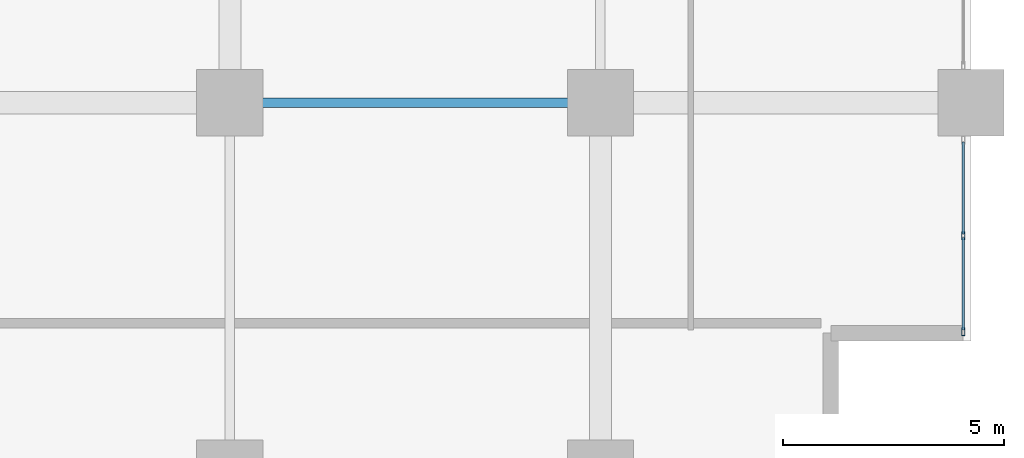
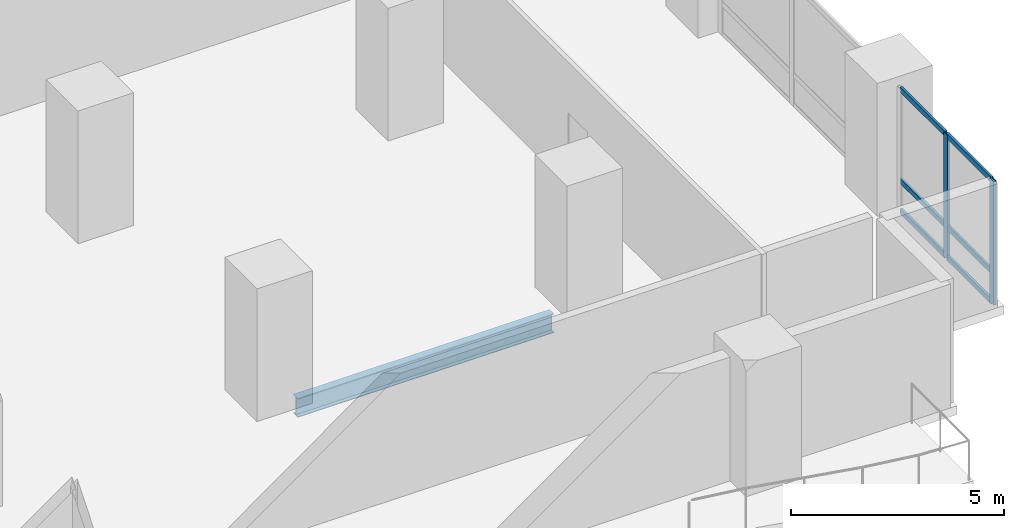
# One storey, part 3 of 27: 8 members, 1 beam, 1 element without a shape of its own.
"""IFC4 building model written with IfcOpenShell, lengths in metres."""

from ifc_helpers import new_model, si_unit, direction, frame, origin, origin_2d, place, context, subcontext, project, spatial, hollow_rectangle, i_section, extrude, material, layer, layer_set, material_profile, profile_set, type_object, element, aggregate, save


model = new_model("IFC4")

# Units and contexts
model_context = context("Model", 3, precision=1e-05, world=origin(), true_north=direction((0.0, 1.0)))
body_context = subcontext(model_context, "Body", "Model", "MODEL_VIEW")
ifc_project = project(units=[si_unit("LENGTHUNIT", "METRE"), si_unit("AREAUNIT", "SQUARE_METRE"), si_unit("VOLUMEUNIT", "CUBIC_METRE"), si_unit("PLANEANGLEUNIT", "RADIAN"), si_unit("MASSUNIT", "GRAM", prefix="KILO")], contexts=[model_context])

# Site, building, storey
site_placement = place(None, origin())
site = spatial("IfcSite", under=ifc_project, at=site_placement, CompositionType="ELEMENT")
building_placement = place(site_placement, origin())
building = spatial("IfcBuilding", under=site, at=building_placement, Name="Koriwani Terraces Tower", CompositionType="ELEMENT")
storey_placement = place(building_placement, frame((0.0, 0.0, 54.800048828125)))
storey = spatial("IfcBuildingStorey", under=building, at=storey_placement, Name="L12", CompositionType="ELEMENT", Elevation=54.800048828125)

# Curtain wall, members
ifc_material_1 = material(Name="Anodised Bronze Aluminium", Category="aluminium")
ifc_layer = layer(ifc_material_1, 0.179931640625, Name="Anodised Bronze Aluminium")
ifc_layer_set = layer_set([ifc_layer], Name="Anodised Bronze Aluminium")
curtain_wall_type = type_object("IfcCurtainWallType", Name="CW_HOTEL_ZONE1", PredefinedType="NOTDEFINED", material=ifc_layer_set)
curtain_wall_placement = place(storey_placement, origin())
curtain_wall = element("IfcCurtainWall", 1, at=curtain_wall_placement, inside=storey, type_object=curtain_wall_type, Name="L12 Unitised Curtain Wall (E_TIP) Bay 4", PredefinedType="NOTDEFINED")
ifc_material_profile_1 = material_profile(ifc_material_1, hollow_rectangle(XDim=0.074951171875, YDim=0.179931640625, WallThickness=0.006103515625, at=origin_2d()), Name="Anodised Bronze Aluminium", Category="LoadBearing")
ifc_profile_set_1 = profile_set([ifc_material_profile_1], Name="Anodised Bronze Aluminium")
member_type_1 = type_object("IfcMemberType", Name="CW_MULLION_180X75", PredefinedType="MULLION", material=ifc_profile_set_1)
member_1_placement = place(storey_placement, frame((92.22509765625, 5.382568359375, 0.0), z_axis=(0.0, 0.0, 1.0), x_axis=(1.0, 0.0, 0.0)))
member_1 = element("IfcMember", 2, at=member_1_placement, type_object=member_type_1, Name="CW-Z1 mullion 2", PredefinedType="MULLION", context=body_context, shape_type="SweptSolid", body=[
    extrude(hollow_rectangle(XDim=0.074951171875, YDim=0.179931640625, WallThickness=0.006103515625, at=origin_2d()), origin(), (0.0, 0.0, 1.0), 3.550048828125),
])
member_2_placement = place(storey_placement, frame((92.22509765625, 3.21240234375, 0.0), z_axis=(0.0, 0.0, 1.0), x_axis=(1.0, 0.0, 0.0)))
member_2 = element("IfcMember", 3, at=member_2_placement, type_object=member_type_1, Name="CW-Z1 mullion 3", PredefinedType="MULLION", context=body_context, shape_type="SweptSolid", body=[
    extrude(hollow_rectangle(XDim=0.074951171875, YDim=0.179931640625, WallThickness=0.006103515625, at=origin_2d()), origin(), (0.0, 0.0, 1.0), 3.550048828125),
])
ifc_material_profile_2 = material_profile(ifc_material_1, hollow_rectangle(XDim=0.06494140625, YDim=0.14990234375, WallThickness=0.0048828125, at=origin_2d()), Name="Anodised Bronze Aluminium", Category="LoadBearing")
ifc_profile_set_2 = profile_set([ifc_material_profile_2], Name="Anodised Bronze Aluminium")
member_type_2 = type_object("IfcMemberType", Name="CW_TRANSOM_150X65", PredefinedType="USERDEFINED", material=ifc_profile_set_2)
member_3_placement = place(storey_placement, frame((92.22509765625, 7.514892578125, 0.032470703125), z_axis=(0.0, -1.0, 0.0), x_axis=(1.0, 0.0, 0.0)))
member_3 = element("IfcMember", 4, at=member_3_placement, type_object=member_type_2, Name="CW-Z1 transom 1.1", ObjectType="TRANSOM", PredefinedType="USERDEFINED", context=body_context, shape_type="SweptSolid", body=[
    extrude(hollow_rectangle(XDim=0.06494140625, YDim=0.14990234375, WallThickness=0.0048828125, at=origin_2d()), origin(), (0.0, 0.0, 1.0), 2.094970703125),
])
member_4_placement = place(storey_placement, frame((92.22509765625, 7.514892578125, 0.89990234375), z_axis=(0.0, -1.0, 0.0), x_axis=(1.0, 0.0, 0.0)))
member_4 = element("IfcMember", 5, at=member_4_placement, type_object=member_type_2, Name="CW-Z1 transom 1.2", ObjectType="TRANSOM", PredefinedType="USERDEFINED", context=body_context, shape_type="SweptSolid", body=[
    extrude(hollow_rectangle(XDim=0.06494140625, YDim=0.14990234375, WallThickness=0.0048828125, at=origin_2d()), origin(), (0.0, 0.0, 1.0), 2.094970703125),
])
member_5_placement = place(storey_placement, frame((92.22509765625, 7.514892578125, 3.517333984375), z_axis=(0.0, -1.0, 0.0), x_axis=(1.0, 0.0, 0.0)))
member_5 = element("IfcMember", 6, at=member_5_placement, type_object=member_type_2, Name="CW-Z1 transom 1.3", ObjectType="TRANSOM", PredefinedType="USERDEFINED", context=body_context, shape_type="SweptSolid", body=[
    extrude(hollow_rectangle(XDim=0.06494140625, YDim=0.14990234375, WallThickness=0.0048828125, at=origin_2d()), origin(), (0.0, 0.0, 1.0), 2.094970703125),
])
member_6_placement = place(storey_placement, frame((92.22509765625, 5.344970703125, 0.032470703125), z_axis=(0.0, -1.0, 0.0), x_axis=(1.0, 0.0, 0.0)))
member_6 = element("IfcMember", 7, at=member_6_placement, type_object=member_type_2, Name="CW-Z1 transom 2.1", ObjectType="TRANSOM", PredefinedType="USERDEFINED", context=body_context, shape_type="SweptSolid", body=[
    extrude(hollow_rectangle(XDim=0.06494140625, YDim=0.14990234375, WallThickness=0.0048828125, at=origin_2d()), origin(), (0.0, 0.0, 1.0), 2.094970703125),
])
member_7_placement = place(storey_placement, frame((92.22509765625, 5.344970703125, 0.89990234375), z_axis=(0.0, -1.0, 0.0), x_axis=(1.0, 0.0, 0.0)))
member_7 = element("IfcMember", 8, at=member_7_placement, type_object=member_type_2, Name="CW-Z1 transom 2.2", ObjectType="TRANSOM", PredefinedType="USERDEFINED", context=body_context, shape_type="SweptSolid", body=[
    extrude(hollow_rectangle(XDim=0.06494140625, YDim=0.14990234375, WallThickness=0.0048828125, at=origin_2d()), origin(), (0.0, 0.0, 1.0), 2.094970703125),
])
member_8_placement = place(storey_placement, frame((92.22509765625, 5.344970703125, 3.517333984375), z_axis=(0.0, -1.0, 0.0), x_axis=(1.0, 0.0, 0.0)))
member_8 = element("IfcMember", 9, at=member_8_placement, type_object=member_type_2, Name="CW-Z1 transom 2.3", ObjectType="TRANSOM", PredefinedType="USERDEFINED", context=body_context, shape_type="SweptSolid", body=[
    extrude(hollow_rectangle(XDim=0.06494140625, YDim=0.14990234375, WallThickness=0.0048828125, at=origin_2d()), origin(), (0.0, 0.0, 1.0), 2.094970703125),
])
aggregate(curtain_wall, [member_1, member_2, member_3, member_4, member_5, member_6, member_7, member_8])

# Beam
ifc_material_2 = material(Name="Steel ASTM A572 Grade 50", Category="steel")
ifc_material_profile_3 = material_profile(ifc_material_2, i_section(OverallWidth=0.2119140625, OverallDepth=0.54296875, WebThickness=0.0126953125, FlangeThickness=0.021240234375, at=origin_2d()), Name="Steel ASTM A572 Grade 50", Category="LoadBearing")
ifc_profile_set_3 = profile_set([ifc_material_profile_3], Name="Steel ASTM A572 Grade 50")
beam_type = type_object("IfcBeamType", Name="STEEL_BEAM_W530X150", PredefinedType="BEAM", material=ifc_profile_set_3)
beam_placement = place(storey_placement, frame((76.330078125, 8.39990234375, -0.521484375), z_axis=(1.0, 0.0, 0.0), x_axis=(0.0, 1.0, 0.0)))
element("IfcBeam", 10, at=beam_placement, inside=storey, type_object=beam_type, Name="L12 Grid Beam B (75.6-84.0m)", PredefinedType="BEAM", context=body_context, shape_type="SweptSolid", body=[
    extrude(i_section(OverallWidth=0.2119140625, OverallDepth=0.54296875, WebThickness=0.0126953125, FlangeThickness=0.021240234375, at=origin_2d()), origin(), (0.0, 0.0, 1.0), 6.93994140625),
])

save(model, "model.ifc")
